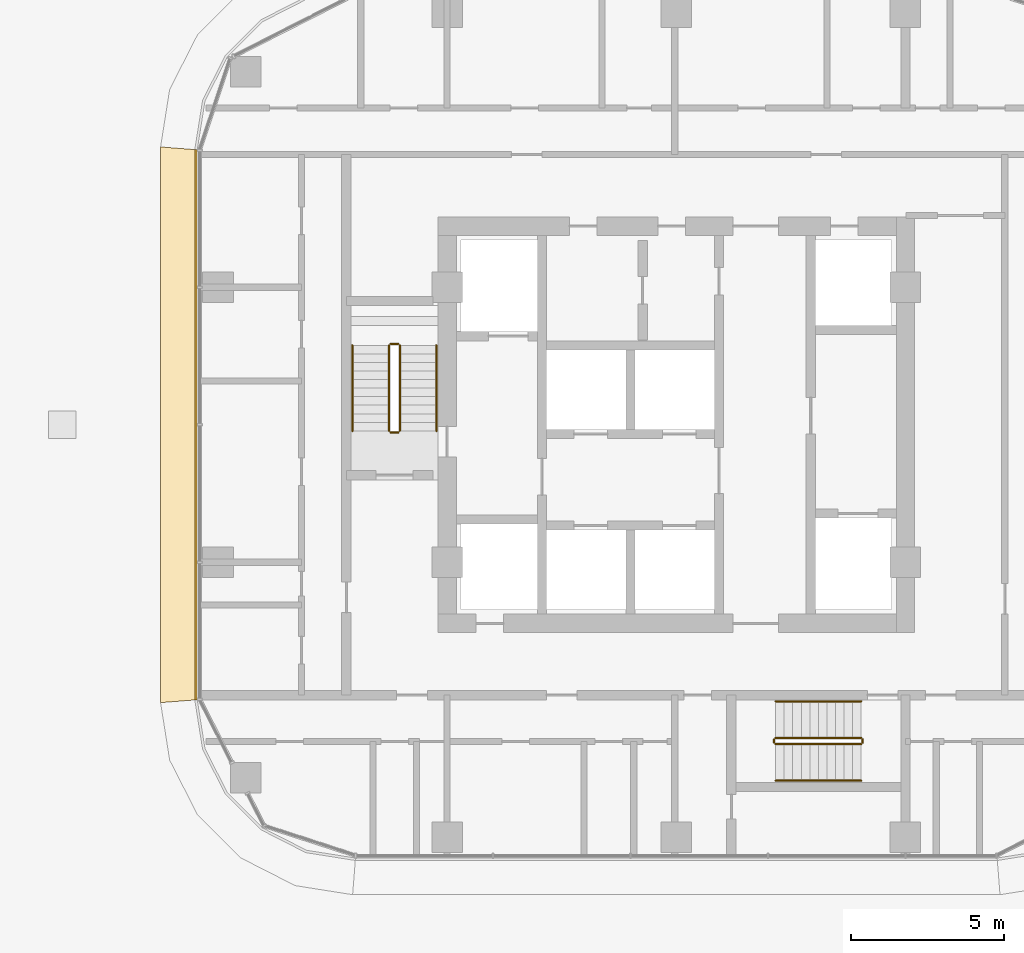
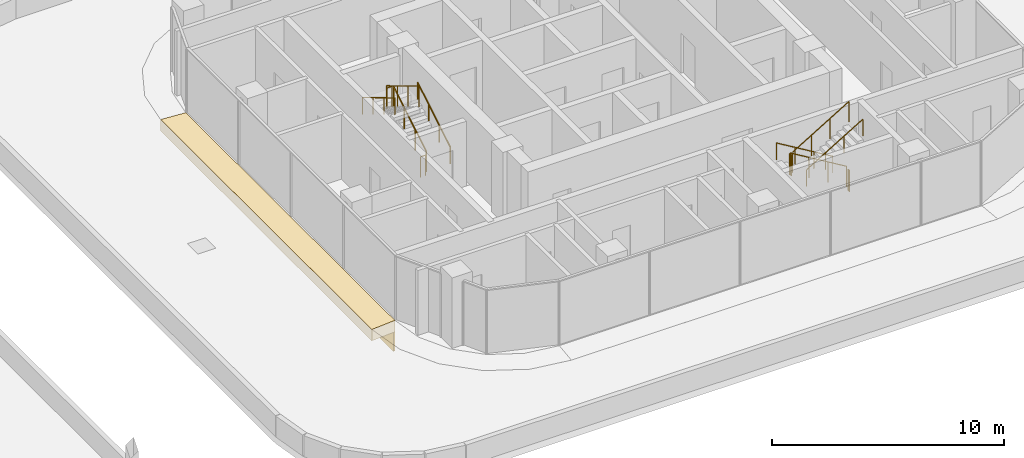
# One storey, part 45 of 51: 12 railings, 2 coverings.
"""IFC4 building model written with IfcOpenShell, lengths in metres."""

from ifc_helpers import new_model, si_unit, direction, frame, origin, origin_2d, place, context, subcontext, project, spatial, polyline, circle, outline, extrude, material, layer, layer_set, type_object, element, save


model = new_model("IFC4")

# Units and contexts
model_context = context("Model", 3, precision=1e-05, world=origin(), true_north=direction((0.0, 1.0)))
body_context = subcontext(model_context, "Body", "Model", "MODEL_VIEW")
ifc_project = project(units=[si_unit("LENGTHUNIT", "METRE"), si_unit("AREAUNIT", "SQUARE_METRE"), si_unit("VOLUMEUNIT", "CUBIC_METRE"), si_unit("PLANEANGLEUNIT", "RADIAN"), si_unit("MASSUNIT", "GRAM", prefix="KILO")], contexts=[model_context])

# Site, building, storey
site_placement = place(None, origin())
site = spatial("IfcSite", under=ifc_project, at=site_placement, CompositionType="ELEMENT")
building_placement = place(site_placement, origin())
building = spatial("IfcBuilding", under=site, at=building_placement, Name="Ogive Portal Towers", CompositionType="ELEMENT")
storey_placement = place(building_placement, frame((0.0, 0.0, 33.5)))
storey = spatial("IfcBuildingStorey", under=building, at=storey_placement, Name="L06", CompositionType="ELEMENT", Elevation=33.5)

# Railings
ifc_material_1 = material(Name="Stainless steel balustrade", Category="steel")
railing_type_1 = type_object("IfcRailingType", Name="INT-GUARD", PredefinedType="GUARDRAIL", material=ifc_material_1)
railing_1_placement = place(storey_placement, frame((127.449951171875, 30.800048828125, 0.168212890625)))
element("IfcRailing", 1, at=railing_1_placement, inside=storey, type_object=railing_type_1, Name="L06 ST-B1 stair guard 1", PredefinedType="GUARDRAIL", context=body_context, shape_type="SweptSolid", body=[
    extrude(circle(Radius=0.02392578125, at=origin_2d()), frame((0.0, 0.0, 1.076171875), z_axis=(0.0, 0.857242210791, 0.514913383045), x_axis=(-1.0, 0.0, 0.0)), (0.0, 0.0, 1.0), 3.266357421875),
    extrude(circle(Radius=0.02099609375, at=origin_2d()), origin(), (0.0, 0.0, 1.0), 1.052001953125),
    extrude(circle(Radius=0.02099609375, at=origin_2d()), frame((0.0, 0.933349609375, 0.560546875)), (0.0, 0.0, 1.0), 1.052001953125),
    extrude(circle(Radius=0.02099609375, at=origin_2d()), frame((0.0, 1.86669921875, 1.121337890625)), (0.0, 0.0, 1.0), 1.052001953125),
    extrude(circle(Radius=0.02099609375, at=origin_2d()), frame((0.0, 2.800048828125, 1.681884765625)), (0.0, 0.0, 1.0), 1.052001953125),
])
railing_2_placement = place(storey_placement, frame((127.39990234375, 33.64990234375, 1.85009765625)))
element("IfcRailing", 2, at=railing_2_placement, inside=storey, type_object=railing_type_1, Name="L06 ST-B1 stair guard 2", PredefinedType="GUARDRAIL", context=body_context, shape_type="SweptSolid", body=[
    extrude(circle(Radius=0.02392578125, at=origin_2d()), frame((0.0, 0.0, 1.076171875), z_axis=(-1.0, 0.0, 0.0), x_axis=(0.0, -1.0, 0.0)), (0.0, 0.0, 1.0), 0.25),
    extrude(circle(Radius=0.02099609375, at=origin_2d()), origin(), (0.0, 0.0, 1.0), 1.052001953125),
    extrude(circle(Radius=0.02099609375, at=origin_2d()), frame((-0.25, 0.0, 0.0)), (0.0, 0.0, 1.0), 1.052001953125),
])
railing_3_placement = place(storey_placement, frame((127.10009765625, 33.60009765625, 2.01806640625)))
element("IfcRailing", 3, at=railing_3_placement, inside=storey, type_object=railing_type_1, Name="L06 ST-B1 stair guard 3", PredefinedType="GUARDRAIL", context=body_context, shape_type="SweptSolid", body=[
    extrude(circle(Radius=0.02392578125, at=origin_2d()), frame((0.0, 0.0, 1.076171875), z_axis=(0.0, -0.857242210791, 0.514913383045), x_axis=(1.0, 0.0, 0.0)), (0.0, 0.0, 1.0), 3.266357421875),
    extrude(circle(Radius=0.02099609375, at=origin_2d()), origin(), (0.0, 0.0, 1.0), 1.052001953125),
    extrude(circle(Radius=0.02099609375, at=origin_2d()), frame((0.0, -0.933349609375, 0.560546875)), (0.0, 0.0, 1.0), 1.052001953125),
    extrude(circle(Radius=0.02099609375, at=origin_2d()), frame((0.0, -1.86669921875, 1.121337890625)), (0.0, 0.0, 1.0), 1.052001953125),
    extrude(circle(Radius=0.02099609375, at=origin_2d()), frame((0.0, -2.800048828125, 1.681884765625)), (0.0, 0.0, 1.0), 1.052001953125),
])
railing_4_placement = place(storey_placement, frame((127.39990234375, 30.75, 0.0)))
element("IfcRailing", 4, at=railing_4_placement, inside=storey, type_object=railing_type_1, Name="L06 ST-B1 stair guard 4", PredefinedType="GUARDRAIL", context=body_context, shape_type="SweptSolid", body=[
    extrude(circle(Radius=0.02392578125, at=origin_2d()), frame((0.0, 0.0, 1.076171875), z_axis=(-1.0, 0.0, 0.0), x_axis=(0.0, -1.0, 0.0)), (0.0, 0.0, 1.0), 0.25),
    extrude(circle(Radius=0.02099609375, at=origin_2d()), origin(), (0.0, 0.0, 1.0), 1.052001953125),
    extrude(circle(Radius=0.02099609375, at=origin_2d()), frame((-0.25, 0.0, 0.0)), (0.0, 0.0, 1.0), 1.052001953125),
])
railing_5_placement = place(storey_placement, frame((142.550048828125, 20.75, 0.168212890625)))
element("IfcRailing", 5, at=railing_5_placement, inside=storey, type_object=railing_type_1, Name="L06 ST-B2 stair guard 1", PredefinedType="GUARDRAIL", context=body_context, shape_type="SweptSolid", body=[
    extrude(circle(Radius=0.02392578125, at=origin_2d()), frame((0.0, 0.0, 1.076171875), z_axis=(-0.857242210791, 0.0, 0.514913383045), x_axis=(0.0, -1.0, 0.0)), (0.0, 0.0, 1.0), 3.266357421875),
    extrude(circle(Radius=0.02099609375, at=origin_2d()), origin(), (0.0, 0.0, 1.0), 1.052001953125),
    extrude(circle(Radius=0.02099609375, at=origin_2d()), frame((-0.933349609375, 0.0, 0.560546875)), (0.0, 0.0, 1.0), 1.052001953125),
    extrude(circle(Radius=0.02099609375, at=origin_2d()), frame((-1.86669921875, 0.0, 1.121337890625)), (0.0, 0.0, 1.0), 1.052001953125),
    extrude(circle(Radius=0.02099609375, at=origin_2d()), frame((-2.800048828125, 0.0, 1.681884765625)), (0.0, 0.0, 1.0), 1.052001953125),
])
railing_6_placement = place(storey_placement, frame((139.699951171875, 20.699951171875, 1.85009765625)))
element("IfcRailing", 6, at=railing_6_placement, inside=storey, type_object=railing_type_1, Name="L06 ST-B2 stair guard 2", PredefinedType="GUARDRAIL", context=body_context, shape_type="SweptSolid", body=[
    extrude(circle(Radius=0.02392578125, at=origin_2d()), frame((0.0, 0.0, 1.076171875), z_axis=(0.0, -1.0, 0.0), x_axis=(1.0, 0.0, 0.0)), (0.0, 0.0, 1.0), 0.099853515625),
    extrude(circle(Radius=0.02099609375, at=origin_2d()), origin(), (0.0, 0.0, 1.0), 1.052001953125),
    extrude(circle(Radius=0.02099609375, at=origin_2d()), frame((0.0, -0.099853515625, 0.0)), (0.0, 0.0, 1.0), 1.052001953125),
])
railing_7_placement = place(storey_placement, frame((139.75, 20.550048828125, 2.01806640625)))
element("IfcRailing", 7, at=railing_7_placement, inside=storey, type_object=railing_type_1, Name="L06 ST-B2 stair guard 3", PredefinedType="GUARDRAIL", context=body_context, shape_type="SweptSolid", body=[
    extrude(circle(Radius=0.02392578125, at=origin_2d()), frame((0.0, 0.0, 1.076171875), z_axis=(0.857242210791, 0.0, 0.514913383045), x_axis=(0.0, 1.0, 0.0)), (0.0, 0.0, 1.0), 3.266357421875),
    extrude(circle(Radius=0.02099609375, at=origin_2d()), origin(), (0.0, 0.0, 1.0), 1.052001953125),
    extrude(circle(Radius=0.02099609375, at=origin_2d()), frame((0.933349609375, 0.0, 0.560546875)), (0.0, 0.0, 1.0), 1.052001953125),
    extrude(circle(Radius=0.02099609375, at=origin_2d()), frame((1.86669921875, 0.0, 1.121337890625)), (0.0, 0.0, 1.0), 1.052001953125),
    extrude(circle(Radius=0.02099609375, at=origin_2d()), frame((2.800048828125, 0.0, 1.681884765625)), (0.0, 0.0, 1.0), 1.052001953125),
])
railing_8_placement = place(storey_placement, frame((142.60009765625, 20.699951171875, 0.0)))
element("IfcRailing", 8, at=railing_8_placement, inside=storey, type_object=railing_type_1, Name="L06 ST-B2 stair guard 4", PredefinedType="GUARDRAIL", context=body_context, shape_type="SweptSolid", body=[
    extrude(circle(Radius=0.02392578125, at=origin_2d()), frame((0.0, 0.0, 1.076171875), z_axis=(0.0, -1.0, 0.0), x_axis=(1.0, 0.0, 0.0)), (0.0, 0.0, 1.0), 0.099853515625),
    extrude(circle(Radius=0.02099609375, at=origin_2d()), origin(), (0.0, 0.0, 1.0), 1.052001953125),
    extrude(circle(Radius=0.02099609375, at=origin_2d()), frame((0.0, -0.099853515625, 0.0)), (0.0, 0.0, 1.0), 1.052001953125),
])
ifc_material_2 = material(Name="Stainless steel handrail", Category="steel")
railing_type_2 = type_object("IfcRailingType", Name="INT-HANDRAIL", PredefinedType="HANDRAIL", material=ifc_material_2)
railing_9_placement = place(storey_placement, frame((128.64990234375, 30.800048828125, 0.168212890625)))
element("IfcRailing", 9, at=railing_9_placement, inside=storey, type_object=railing_type_2, Name="L06 ST-B1 stair handrail 1", PredefinedType="HANDRAIL", context=body_context, shape_type="SweptSolid", body=[
    extrude(circle(Radius=0.02392578125, at=origin_2d()), frame((0.0, 0.0, 0.8759765625), z_axis=(0.0, 0.857242210791, 0.514913383045), x_axis=(-1.0, 0.0, 0.0)), (0.0, 0.0, 1.0), 3.266357421875),
    extrude(circle(Radius=0.02099609375, at=origin_2d()), origin(), (0.0, 0.0, 1.0), 0.851806640625),
    extrude(circle(Radius=0.02099609375, at=origin_2d()), frame((0.0, 0.933349609375, 0.560546875)), (0.0, 0.0, 1.0), 0.851806640625),
    extrude(circle(Radius=0.02099609375, at=origin_2d()), frame((0.0, 1.86669921875, 1.121337890625)), (0.0, 0.0, 1.0), 0.851806640625),
    extrude(circle(Radius=0.02099609375, at=origin_2d()), frame((0.0, 2.800048828125, 1.681884765625)), (0.0, 0.0, 1.0), 0.851806640625),
])
railing_10_placement = place(storey_placement, frame((125.89990234375, 33.60009765625, 2.01806640625)))
element("IfcRailing", 10, at=railing_10_placement, inside=storey, type_object=railing_type_2, Name="L06 ST-B1 stair handrail 2", PredefinedType="HANDRAIL", context=body_context, shape_type="SweptSolid", body=[
    extrude(circle(Radius=0.02392578125, at=origin_2d()), frame((0.0, 0.0, 0.8759765625), z_axis=(0.0, -0.857242210791, 0.514913383045), x_axis=(1.0, 0.0, 0.0)), (0.0, 0.0, 1.0), 3.266357421875),
    extrude(circle(Radius=0.02099609375, at=origin_2d()), origin(), (0.0, 0.0, 1.0), 0.851806640625),
    extrude(circle(Radius=0.02099609375, at=origin_2d()), frame((0.0, -0.933349609375, 0.560546875)), (0.0, 0.0, 1.0), 0.851806640625),
    extrude(circle(Radius=0.02099609375, at=origin_2d()), frame((0.0, -1.86669921875, 1.121337890625)), (0.0, 0.0, 1.0), 0.851806640625),
    extrude(circle(Radius=0.02099609375, at=origin_2d()), frame((0.0, -2.800048828125, 1.681884765625)), (0.0, 0.0, 1.0), 0.851806640625),
])
railing_11_placement = place(storey_placement, frame((142.550048828125, 21.949951171875, 0.168212890625)))
element("IfcRailing", 11, at=railing_11_placement, inside=storey, type_object=railing_type_2, Name="L06 ST-B2 stair handrail 1", PredefinedType="HANDRAIL", context=body_context, shape_type="SweptSolid", body=[
    extrude(circle(Radius=0.02392578125, at=origin_2d()), frame((0.0, 0.0, 0.8759765625), z_axis=(-0.857242210791, 0.0, 0.514913383045), x_axis=(0.0, -1.0, 0.0)), (0.0, 0.0, 1.0), 3.266357421875),
    extrude(circle(Radius=0.02099609375, at=origin_2d()), origin(), (0.0, 0.0, 1.0), 0.851806640625),
    extrude(circle(Radius=0.02099609375, at=origin_2d()), frame((-0.933349609375, 0.0, 0.560546875)), (0.0, 0.0, 1.0), 0.851806640625),
    extrude(circle(Radius=0.02099609375, at=origin_2d()), frame((-1.86669921875, 0.0, 1.121337890625)), (0.0, 0.0, 1.0), 0.851806640625),
    extrude(circle(Radius=0.02099609375, at=origin_2d()), frame((-2.800048828125, 0.0, 1.681884765625)), (0.0, 0.0, 1.0), 0.851806640625),
])
railing_12_placement = place(storey_placement, frame((139.75, 19.35009765625, 2.01806640625)))
element("IfcRailing", 12, at=railing_12_placement, inside=storey, type_object=railing_type_2, Name="L06 ST-B2 stair handrail 2", PredefinedType="HANDRAIL", context=body_context, shape_type="SweptSolid", body=[
    extrude(circle(Radius=0.02392578125, at=origin_2d()), frame((0.0, 0.0, 0.8759765625), z_axis=(0.857242210791, 0.0, 0.514913383045), x_axis=(0.0, 1.0, 0.0)), (0.0, 0.0, 1.0), 3.266357421875),
    extrude(circle(Radius=0.02099609375, at=origin_2d()), origin(), (0.0, 0.0, 1.0), 0.851806640625),
    extrude(circle(Radius=0.02099609375, at=origin_2d()), frame((0.933349609375, 0.0, 0.560546875)), (0.0, 0.0, 1.0), 0.851806640625),
    extrude(circle(Radius=0.02099609375, at=origin_2d()), frame((1.86669921875, 0.0, 1.121337890625)), (0.0, 0.0, 1.0), 0.851806640625),
    extrude(circle(Radius=0.02099609375, at=origin_2d()), frame((2.800048828125, 0.0, 1.681884765625)), (0.0, 0.0, 1.0), 0.851806640625),
])

# Coverings
ifc_material_3 = material(Name="Limestone cladding on lightweight block wall", Category="masonry")
ifc_layer_1 = layer(ifc_material_3, 0.080078125)
ifc_layer_set_1 = layer_set([ifc_layer_1], Name="STONE SPANDREL 80")
covering_type_1 = type_object("IfcCoveringType", Name="STONE SPANDREL 80", PredefinedType="CLADDING", material=ifc_layer_set_1)
covering_1_placement = place(storey_placement, frame((0.0, 0.0, -1.60009765625)))
element("IfcCovering", 13, at=covering_1_placement, inside=storey, type_object=covering_type_1, Name="Stone spandrel B1-F08", PredefinedType="CLADDING", context=body_context, shape_type="SweptSolid", body=[
    extrude(outline(polyline([(120.820068359375, 40.0), (120.820068359375, 22.0), (120.739990234375, 21.99365234375), (120.739990234375, 40.00634765625), (120.820068359375, 40.0)])), origin(), (0.0, 0.0, 1.0), 1.0),
])
ifc_layer_2 = layer(ifc_material_3, 0.60009765625)
ifc_layer_set_2 = layer_set([ifc_layer_2], Name="SUNSHADE LIP 600")
covering_type_2 = type_object("IfcCoveringType", Name="SUNSHADE LIP 600", PredefinedType="CLADDING", material=ifc_layer_set_2)
covering_2_placement = place(storey_placement, frame((0.0, 0.0, -0.60009765625)))
element("IfcCovering", 14, at=covering_2_placement, inside=storey, type_object=covering_type_2, Name="Sunshade lip B1-F08", PredefinedType="CLADDING", context=body_context, shape_type="SweptSolid", body=[
    extrude(outline(polyline([(120.820068359375, 40.0), (120.820068359375, 22.0), (119.6201171875, 21.905517578125), (119.6201171875, 40.094482421875), (120.820068359375, 40.0)])), origin(), (0.0, 0.0, 1.0), 0.60009765625),
])

save(model, "model.ifc")
